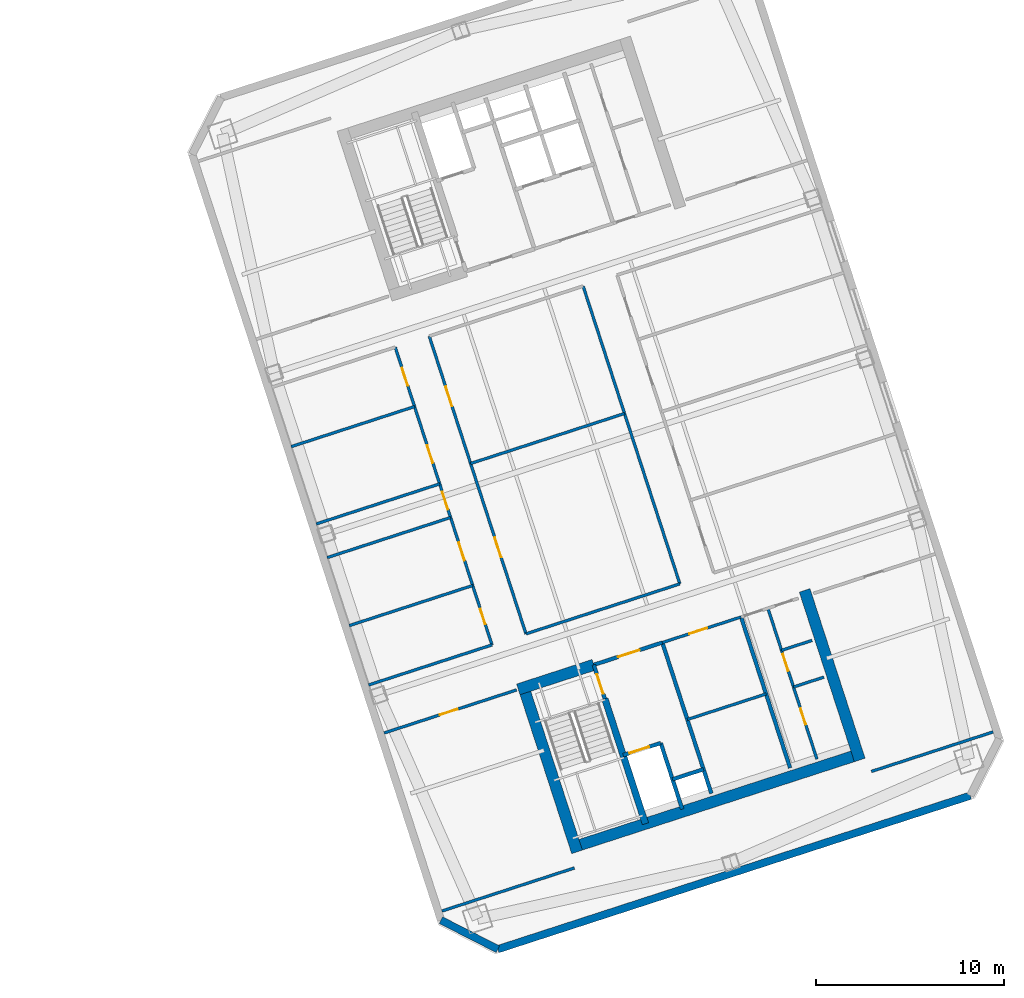
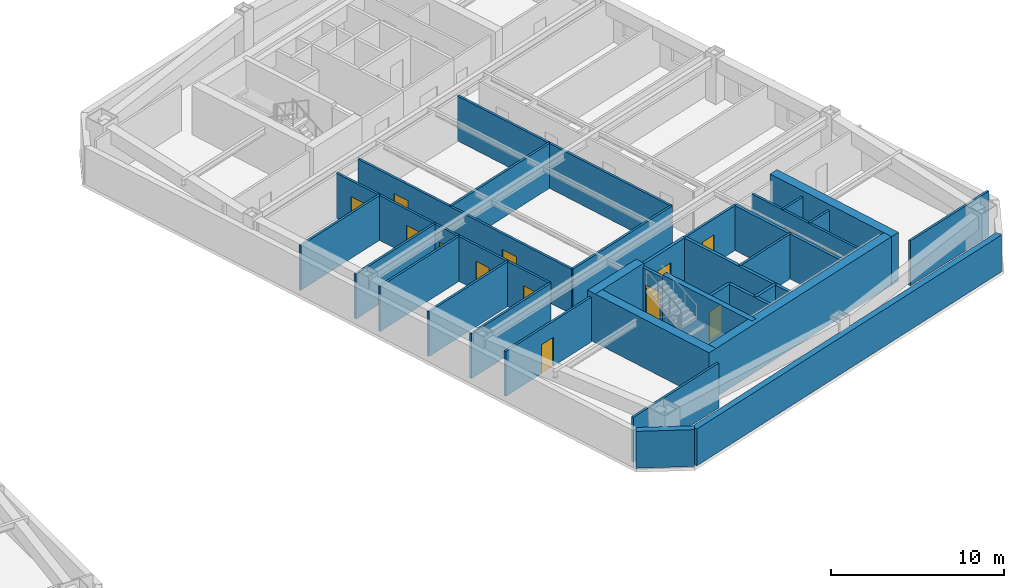
# One storey, part 8 of 13: 32 walls, 14 doors, 14 openings.
"""IFC4 building model written with IfcOpenShell, lengths in metres."""

from ifc_helpers import new_model, si_unit, direction, frame, frame_2d, origin, place, context, subcontext, project, spatial, rectangle, extrude, material, layer, layer_set, type_object, element, fill, save


model = new_model("IFC4")

# Units and contexts
model_context = context("Model", 3, precision=1e-05, world=origin(), true_north=direction((0.0, 1.0)))
body_context = subcontext(model_context, "Body", "Model", "MODEL_VIEW")
ifc_project = project(units=[si_unit("LENGTHUNIT", "METRE"), si_unit("AREAUNIT", "SQUARE_METRE"), si_unit("VOLUMEUNIT", "CUBIC_METRE"), si_unit("PLANEANGLEUNIT", "RADIAN"), si_unit("MASSUNIT", "GRAM", prefix="KILO")], contexts=[model_context])

# Site, building, storey
site_placement = place(None, origin())
site = spatial("IfcSite", under=ifc_project, at=site_placement, CompositionType="ELEMENT")
building_placement = place(site_placement, origin())
building = spatial("IfcBuilding", under=site, at=building_placement, Name="Qiaolan Cultural Towers", CompositionType="ELEMENT")
storey_placement = place(building_placement, frame((0.0, 0.0, 170.199951171875)))
storey = spatial("IfcBuildingStorey", under=building, at=storey_placement, Name="L45", CompositionType="ELEMENT", Elevation=170.199951171875)

# Walls
ifc_material_1 = material(Name="Concrete C50", Category="concrete")
ifc_layer_1 = layer(ifc_material_1, 0.35009765625)
ifc_layer_set_1 = layer_set([ifc_layer_1], Name="Concrete C50")
wall_type_1 = type_object("IfcWallType", Name="WL-CORE-350", PredefinedType="SHEAR", material=ifc_layer_set_1)
wall_1_placement = place(storey_placement, frame((90.486328125, 20.59423828125, 0.0), z_axis=(0.0, 0.0, 1.0), x_axis=(0.309020428229, -0.951055400562, 0.0)))
element("IfcWall", 1, at=wall_1_placement, inside=storey, type_object=wall_type_1, Name="L45 T2-CS Stair Core Dividing Web", PredefinedType="SHEAR", context=body_context, shape_type="SweptSolid", body=[
    extrude(rectangle(XDim=6.97998046875, YDim=0.35009765625, at=frame_2d((3.489990234375, 0.0))), origin(), (0.0, 0.0, 1.0), 3.449951171875),
])
ifc_material_2 = material(Name="Concrete C55", Category="concrete")
ifc_layer_2 = layer(ifc_material_2, 0.60009765625)
ifc_layer_set_2 = layer_set([ifc_layer_2], Name="Concrete C55")
wall_type_2 = type_object("IfcWallType", Name="WL-CORE-600", PredefinedType="SHEAR", material=ifc_layer_set_2)
wall_2_placement = place(storey_placement, frame((88.6298828125, 12.65185546875, 0.0), z_axis=(0.0, 0.0, 1.0), x_axis=(0.95105714907, 0.309015046886, 0.0)))
element("IfcWall", 2, at=wall_2_placement, inside=storey, type_object=wall_type_2, Name="L45 T2-CS Outer Core Shear Wall", PredefinedType="SHEAR", context=body_context, shape_type="SweptSolid", body=[
    extrude(rectangle(XDim=16.400146484375, YDim=0.60009765625, at=frame_2d((8.2001953125, 0.0))), origin(), (0.0, 0.0, 1.0), 3.449951171875),
])
wall_3_placement = place(storey_placement, frame((86.078369140625, 21.47509765625, 0.0), z_axis=(0.0, 0.0, 1.0), x_axis=(0.309017938678, -0.951056209472, 0.0)))
element("IfcWall", 3, at=wall_3_placement, inside=storey, type_object=wall_type_2, Name="L45 T2-CS West Core Shear Wall", PredefinedType="SHEAR", context=body_context, shape_type="SweptSolid", body=[
    extrude(rectangle(XDim=9.479736328125, YDim=0.60009765625, at=frame_2d((4.73974609375, 0.0))), origin(), (0.0, 0.0, 1.0), 3.449951171875),
])
wall_4_placement = place(storey_placement, frame((101.105224609375, 26.357666015625, 0.0), z_axis=(0.0, 0.0, 1.0), x_axis=(0.309010370028, -0.95105866865, 0.0)))
element("IfcWall", 4, at=wall_4_placement, inside=storey, type_object=wall_type_2, Name="L45 T2-CS East Core Shear Wall", PredefinedType="SHEAR", context=body_context, shape_type="SweptSolid", body=[
    extrude(rectangle(XDim=9.47998046875, YDim=0.60009765625, at=frame_2d((4.739990234375, 0.0))), origin(), (0.0, 0.0, 1.0), 3.449951171875),
])
wall_5_placement = place(storey_placement, frame((85.8857421875, 21.09716796875, 0.0), z_axis=(0.0, 0.0, 1.0), x_axis=(0.951068073652, 0.308981422225, 0.0)))
element("IfcWall", 5, at=wall_5_placement, inside=storey, type_object=wall_type_2, Name="L45 T2-CS Stair Front Shear Wall", PredefinedType="SHEAR", context=body_context, shape_type="SweptSolid", body=[
    extrude(rectangle(XDim=4.22021484375, YDim=0.60009765625, at=frame_2d((2.110107421875, 0.0))), origin(), (0.0, 0.0, 1.0), 3.449951171875),
])
ifc_material_3 = material(Name="Precast Concrete C50 Honed Stone Pier", Category="masonry")
ifc_layer_3 = layer(ifc_material_3, 0.39990234375)
ifc_layer_set_3 = layer_set([ifc_layer_3], Name="Precast Concrete C50 Honed Stone Pier")
wall_type_3 = type_object("IfcWallType", Name="WL-EXT-PIER-400", PredefinedType="SOLIDWALL", material=ifc_layer_set_3)
wall_6_placement = place(storey_placement, frame((109.908447265625, 15.44384765625, 0.0), z_axis=(0.0, 0.0, 1.0), x_axis=(-0.951057580055, -0.30901372044, 0.0)))
element("IfcWall", 6, at=wall_6_placement, inside=storey, type_object=wall_type_3, Name="L45 East Tower Precast Pier Facade Wall F7", PredefinedType="SOLIDWALL", context=body_context, shape_type="SweptSolid", body=[
    extrude(rectangle(XDim=26.39990234375, YDim=0.39990234375, at=frame_2d((13.199951171875, 0.0))), origin(), (0.0, 0.0, 1.0), 2.610107421875),
])
wall_7_placement = place(storey_placement, frame((84.800537109375, 7.285888671875, 0.0), z_axis=(0.0, 0.0, 1.0), x_axis=(-0.891020832027, 0.453962417932, 0.0)))
element("IfcWall", 7, at=wall_7_placement, inside=storey, type_object=wall_type_3, Name="L45 East Tower Precast Pier Facade Wall F8", PredefinedType="SOLIDWALL", context=body_context, shape_type="SweptSolid", body=[
    extrude(rectangle(XDim=3.39404296875, YDim=0.39990234375, at=frame_2d((1.697021484375, 0.0))), origin(), (0.0, 0.0, 1.0), 2.610107421875),
])

# Wall, opening, door
ifc_material_4 = material(Name="Concrete C35 Fire Wall", Category="concrete")
ifc_layer_4 = layer(ifc_material_4, 0.199951171875)
ifc_layer_set_4 = layer_set([ifc_layer_4], Name="Concrete C35 Fire Wall")
wall_type_4 = type_object("IfcWallType", Name="WL-FIRE-200", PredefinedType="PARTITIONING", material=ifc_layer_set_4)
wall_8_placement = place(storey_placement, frame((89.8994140625, 22.401123046875, 0.0), z_axis=(0.0, 0.0, 1.0), x_axis=(0.308932062672, -0.951084108086, 0.0)))
wall_8 = element("IfcWall", 8, at=wall_8_placement, inside=storey, type_object=wall_type_4, Name="L45 T2-CS Smokeproof Stair Entry Wall", PredefinedType="PARTITIONING", context=body_context, shape_type="SweptSolid", body=[
    extrude(rectangle(XDim=1.89990234375, YDim=0.199951171875, at=frame_2d((0.949951171875, 0.0))), origin(), (0.0, 0.0, 1.0), 3.175048828125),
])
opening_1_placement = place(wall_8_placement, frame((0.52001953125, 0.0, 0.0)))
opening_1 = element("IfcOpeningElement", 9, at=opening_1_placement, cuts=wall_8, Name="Opening FD-04", PredefinedType="OPENING", context=body_context, shape_type="SweptSolid", body=[
    extrude(rectangle(XDim=1.10009765625, YDim=2.050048828125, at=frame_2d((0.550048828125, 1.02490234375))), frame((0.0, 0.10986328125, 0.0), z_axis=(0.0, -1.0, 0.0), x_axis=(1.0, 0.0, 0.0)), (0.0, 0.0, 1.0), 0.219970703125),
])
ifc_material_5 = material(Name="Galvanized Steel Command Fire Door", Category="steel")
door_type_1 = type_object("IfcDoorType", Name="DR-FD90-1100", OperationType="NOTDEFINED", PredefinedType="DOOR", material=ifc_material_5)
door_1_placement = place(opening_1_placement, origin())
door_1 = element("IfcDoor", 10, at=door_1_placement, inside=storey, type_object=door_type_1, Name="L45 ST-E1 Smokeproof Stair Fire Door", OperationType="SINGLE_SWING_LEFT", OverallHeight=2.050048828125, OverallWidth=1.10009765625, PredefinedType="DOOR", context=body_context, shape_type="SweptSolid", body=[
    extrude(rectangle(XDim=1.10009765625, YDim=2.050048828125, at=frame_2d((0.550048828125, 1.02490234375))), frame((0.0, 0.02490234375, 0.0), z_axis=(0.0, -1.0, 0.0), x_axis=(1.0, 0.0, 0.0)), (0.0, 0.0, 1.0), 0.050048828125),
])
fill(opening_1, door_1)

# Wall
wall_9_placement = place(storey_placement, frame((93.541748046875, 23.584716796875, 0.0), z_axis=(0.0, 0.0, 1.0), x_axis=(0.309042196757, -0.951048327176, 0.0)))
element("IfcWall", 11, at=wall_9_placement, inside=storey, type_object=wall_type_4, Name="L45 T2-CS Firefighting Zone Wall", PredefinedType="PARTITIONING", context=body_context, shape_type="SweptSolid", body=[
    extrude(rectangle(XDim=8.429931640625, YDim=0.199951171875, at=frame_2d((4.21484375, 0.0))), origin(), (0.0, 0.0, 1.0), 3.175048828125),
])

# Wall, opening, door
wall_10_placement = place(storey_placement, frame((89.8994140625, 22.401123046875, 0.0), z_axis=(0.0, 0.0, 1.0), x_axis=(0.951046716504, 0.309047153403, 0.0)))
wall_10 = element("IfcWall", 12, at=wall_10_placement, inside=storey, type_object=wall_type_4, Name="L45 T2-CS Firefighting Lobby Front Wall", PredefinedType="PARTITIONING", context=body_context, shape_type="SweptSolid", body=[
    extrude(rectangle(XDim=3.829833984375, YDim=0.199951171875, at=frame_2d((1.9150390625, 0.0))), origin(), (0.0, 0.0, 1.0), 3.175048828125),
])
opening_2_placement = place(wall_10_placement, frame((1.35009765625, 0.0, 0.0)))
opening_2 = element("IfcOpeningElement", 13, at=opening_2_placement, cuts=wall_10, Name="Opening FD-03", PredefinedType="OPENING", context=body_context, shape_type="SweptSolid", body=[
    extrude(rectangle(XDim=1.199951171875, YDim=2.050048828125, at=frame_2d((0.60009765625, 1.02490234375))), frame((0.0, 0.10986328125, 0.0), z_axis=(0.0, -1.0, 0.0), x_axis=(1.0, 0.0, 0.0)), (0.0, 0.0, 1.0), 0.219970703125),
])
ifc_material_6 = material(Name="Galvanized Steel Smokeproof Lobby Fire Door", Category="steel")
door_type_2 = type_object("IfcDoorType", Name="DR-FD90-1200", OperationType="NOTDEFINED", PredefinedType="DOOR", material=ifc_material_6)
door_2_placement = place(opening_2_placement, origin())
door_2 = element("IfcDoor", 14, at=door_2_placement, inside=storey, type_object=door_type_2, Name="L45 FFL-E1 Firefighting Lobby Fire Door", OperationType="SINGLE_SWING_LEFT", OverallHeight=2.050048828125, OverallWidth=1.199951171875, PredefinedType="DOOR", context=body_context, shape_type="SweptSolid", body=[
    extrude(rectangle(XDim=1.199951171875, YDim=2.050048828125, at=frame_2d((0.60009765625, 1.02490234375))), frame((0.0, 0.02490234375, 0.0), z_axis=(0.0, -1.0, 0.0), x_axis=(1.0, 0.0, 0.0)), (0.0, 0.0, 1.0), 0.050048828125),
])
fill(opening_2, door_2)

wall_11_placement = place(storey_placement, frame((91.459716796875, 17.598388671875, 0.0), z_axis=(0.0, 0.0, 1.0), x_axis=(0.951062257173, 0.308999325213, 0.0)))
wall_11 = element("IfcWall", 15, at=wall_11_placement, inside=storey, type_object=wall_type_4, Name="L45 T2-CS Firefighting Shaft Front Wall", PredefinedType="PARTITIONING", context=body_context, shape_type="SweptSolid", body=[
    extrude(rectangle(XDim=2.10009765625, YDim=0.199951171875, at=frame_2d((1.050048828125, 0.0))), origin(), (0.0, 0.0, 1.0), 3.175048828125),
])
opening_3_placement = place(wall_11_placement, frame((0.35009765625, 0.0, 0.0)))
opening_3 = element("IfcOpeningElement", 16, at=opening_3_placement, cuts=wall_11, Name="Opening LD-01", PredefinedType="OPENING", context=body_context, shape_type="SweptSolid", body=[
    extrude(rectangle(XDim=1.10009765625, YDim=2.050048828125, at=frame_2d((0.550048828125, 1.02490234375))), frame((0.0, 0.10986328125, 0.0), z_axis=(0.0, -1.0, 0.0), x_axis=(1.0, 0.0, 0.0)), (0.0, 0.0, 1.0), 0.219970703125),
])
ifc_material_7 = material(Name="Brushed Stainless Steel S30408 Centre-Parting Lift Landing Door", Category="steel")
door_type_3 = type_object("IfcDoorType", Name="DR-LIFT-1100", OperationType="NOTDEFINED", PredefinedType="DOOR", material=ifc_material_7)
door_3_placement = place(opening_3_placement, origin())
door_3 = element("IfcDoor", 17, at=door_3_placement, inside=storey, type_object=door_type_3, Name="L45 FFL-E1 Firefighting Lift Landing Door", OperationType="DOUBLE_DOOR_SLIDING", OverallHeight=2.050048828125, OverallWidth=1.10009765625, PredefinedType="DOOR", context=body_context, shape_type="SweptSolid", body=[
    extrude(rectangle(XDim=1.10009765625, YDim=2.050048828125, at=frame_2d((0.550048828125, 1.02490234375))), frame((0.0, 0.02490234375, 0.0), z_axis=(0.0, -1.0, 0.0), x_axis=(1.0, 0.0, 0.0)), (0.0, 0.0, 1.0), 0.050048828125),
])
fill(opening_3, door_3)

# Walls
wall_12_placement = place(storey_placement, frame((93.45703125, 18.247314453125, 0.0), z_axis=(0.0, 0.0, 1.0), x_axis=(0.3089935693, -0.951064127245, 0.0)))
element("IfcWall", 18, at=wall_12_placement, inside=storey, type_object=wall_type_4, Name="L45 T2-CS Firefighting Hoistway East Wall", PredefinedType="PARTITIONING", context=body_context, shape_type="SweptSolid", body=[
    extrude(rectangle(XDim=3.7001953125, YDim=0.199951171875, at=frame_2d((1.85009765625, 0.0))), origin(), (0.0, 0.0, 1.0), 3.175048828125),
])
wall_13_placement = place(storey_placement, frame((94.08447265625, 16.316650390625, 0.0), z_axis=(0.0, 0.0, 1.0), x_axis=(0.951041328149, 0.309063734775, 0.0)))
element("IfcWall", 19, at=wall_13_placement, inside=storey, type_object=wall_type_4, Name="L45 T2-CS Pressurization Shaft Front Wall", PredefinedType="PARTITIONING", context=body_context, shape_type="SweptSolid", body=[
    extrude(rectangle(XDim=1.72998046875, YDim=0.199951171875, at=frame_2d((0.864990234375, 0.0))), origin(), (0.0, 0.0, 1.0), 3.175048828125),
])
wall_14_placement = place(storey_placement, frame((97.7265625, 24.9443359375, 0.0), z_axis=(0.0, 0.0, 1.0), x_axis=(0.309016001439, -0.951056838919, 0.0)))
element("IfcWall", 20, at=wall_14_placement, inside=storey, type_object=wall_type_4, Name="L45 T2-CS Lift Core East Wall", PredefinedType="PARTITIONING", context=body_context, shape_type="SweptSolid", body=[
    extrude(rectangle(XDim=8.429931640625, YDim=0.199951171875, at=frame_2d((4.21484375, 0.0))), origin(), (0.0, 0.0, 1.0), 3.175048828125),
])

# Wall, opening, door
ifc_material_8 = material(Name="Autoclaved Aerated Concrete Block B06", Category="concrete")
ifc_layer_5 = layer(ifc_material_8, 0.14990234375)
ifc_layer_set_5 = layer_set([ifc_layer_5], Name="Autoclaved Aerated Concrete Block B06")
wall_type_5 = type_object("IfcWallType", Name="WL-PART-150", PredefinedType="PARTITIONING", material=ifc_layer_set_5)
wall_15_placement = place(storey_placement, frame((93.541748046875, 23.584716796875, 0.0), z_axis=(0.0, 0.0, 1.0), x_axis=(0.951063829732, 0.308994485023, 0.0)))
wall_15 = element("IfcWall", 21, at=wall_15_placement, inside=storey, type_object=wall_type_5, Name="L45 T2-CS Reclaimed Core Room Front Wall", PredefinedType="PARTITIONING", context=body_context, shape_type="SweptSolid", body=[
    extrude(rectangle(XDim=4.400146484375, YDim=0.14990234375, at=frame_2d((2.2001953125, 0.0))), origin(), (0.0, 0.0, 1.0), 3.175048828125),
])
opening_4_placement = place(wall_15_placement, frame((1.5, 0.0, 0.0)))
opening_4 = element("IfcOpeningElement", 22, at=opening_4_placement, cuts=wall_15, Name="Opening ID-04", PredefinedType="OPENING", context=body_context, shape_type="SweptSolid", body=[
    extrude(rectangle(XDim=1.0, YDim=2.050048828125, at=frame_2d((0.5, 1.02490234375))), frame((0.0, 0.0849609375, 0.0), z_axis=(0.0, -1.0, 0.0), x_axis=(1.0, 0.0, 0.0)), (0.0, 0.0, 1.0), 0.169921875),
])
ifc_material_9 = material(Name="Oak Veneer Acoustic Office Door", Category="timber")
door_type_4 = type_object("IfcDoorType", Name="DR-INT-1000", OperationType="NOTDEFINED", PredefinedType="DOOR", material=ifc_material_9)
door_4_placement = place(opening_4_placement, origin())
door_4 = element("IfcDoor", 23, at=door_4_placement, inside=storey, type_object=door_type_4, Name="L45 Focus Pod Room Door", OperationType="SINGLE_SWING_LEFT", OverallHeight=2.050048828125, OverallWidth=1.0, PredefinedType="DOOR", context=body_context, shape_type="SweptSolid", body=[
    extrude(rectangle(XDim=1.0, YDim=2.050048828125, at=frame_2d((0.5, 1.02490234375))), frame((0.0, 0.02490234375, 0.0), z_axis=(0.0, -1.0, 0.0), x_axis=(1.0, 0.0, 0.0)), (0.0, 0.0, 1.0), 0.050048828125),
])
fill(opening_4, door_4)

# Wall
wall_16_placement = place(storey_placement, frame((94.87060546875, 19.4951171875, 0.0), z_axis=(0.0, 0.0, 1.0), x_axis=(0.951042223598, 0.309060979314, 0.0)))
element("IfcWall", 24, at=wall_16_placement, inside=storey, type_object=wall_type_5, Name="L45 T2-CS Reclaimed Room Subdivider", PredefinedType="PARTITIONING", context=body_context, shape_type="SweptSolid", body=[
    extrude(rectangle(XDim=4.39990234375, YDim=0.14990234375, at=frame_2d((2.199951171875, 0.0))), origin(), (0.0, 0.0, 1.0), 3.175048828125),
])

# Wall, openings, doors
wall_17_placement = place(storey_placement, frame((99.153076171875, 25.407958984375, 0.0), z_axis=(0.0, 0.0, 1.0), x_axis=(0.309016001439, -0.951056838919, 0.0)))
wall_17 = element("IfcWall", 25, at=wall_17_placement, inside=storey, type_object=wall_type_5, Name="L45 T2-CS Sanitary Corridor Wall", PredefinedType="PARTITIONING", context=body_context, shape_type="SweptSolid", body=[
    extrude(rectangle(XDim=8.429931640625, YDim=0.14990234375, at=frame_2d((4.21484375, 0.0))), origin(), (0.0, 0.0, 1.0), 3.175048828125),
])
opening_5_placement = place(wall_17_placement, frame((2.550048828125, 0.0, 0.0)))
opening_5 = element("IfcOpeningElement", 26, at=opening_5_placement, cuts=wall_17, Name="Opening ID-05", PredefinedType="OPENING", context=body_context, shape_type="SweptSolid", body=[
    extrude(rectangle(XDim=0.949951171875, YDim=2.050048828125, at=frame_2d((0.47509765625, 1.02490234375))), frame((0.0, 0.0849609375, 0.0), z_axis=(0.0, -1.0, 0.0), x_axis=(1.0, 0.0, 0.0)), (0.0, 0.0, 1.0), 0.169921875),
])
opening_6_placement = place(wall_17_placement, frame((5.60009765625, 0.0, 0.0)))
opening_6 = element("IfcOpeningElement", 27, at=opening_6_placement, cuts=wall_17, Name="Opening ID-06", PredefinedType="OPENING", context=body_context, shape_type="SweptSolid", body=[
    extrude(rectangle(XDim=0.89990234375, YDim=2.050048828125, at=frame_2d((0.449951171875, 1.02490234375))), frame((0.0, 0.0849609375, 0.0), z_axis=(0.0, -1.0, 0.0), x_axis=(1.0, 0.0, 0.0)), (0.0, 0.0, 1.0), 0.169921875),
])
ifc_material_10 = material(Name="Fire-Rated Laminate Core Service Door", Category="timber")
door_type_5 = type_object("IfcDoorType", Name="DR-INT-900", OperationType="NOTDEFINED", PredefinedType="DOOR", material=ifc_material_10)
door_5_placement = place(opening_6_placement, origin())
door_5 = element("IfcDoor", 28, at=door_5_placement, inside=storey, type_object=door_type_5, Name="L45 Staff Restroom Door", OperationType="SINGLE_SWING_RIGHT", OverallHeight=2.050048828125, OverallWidth=0.89990234375, PredefinedType="DOOR", context=body_context, shape_type="SweptSolid", body=[
    extrude(rectangle(XDim=0.89990234375, YDim=2.050048828125, at=frame_2d((0.449951171875, 1.02490234375))), frame((0.0, 0.02490234375, 0.0), z_axis=(0.0, -1.0, 0.0), x_axis=(1.0, 0.0, 0.0)), (0.0, 0.0, 1.0), 0.050048828125),
])
fill(opening_6, door_5)
ifc_material_11 = material(Name="Fire-Rated Laminate Accessible Core Door", Category="timber")
door_type_6 = type_object("IfcDoorType", Name="DR-INT-950", OperationType="NOTDEFINED", PredefinedType="DOOR", material=ifc_material_11)
door_6_placement = place(opening_5_placement, origin())
door_6 = element("IfcDoor", 29, at=door_6_placement, inside=storey, type_object=door_type_6, Name="L45 Accessible Washroom Door", OperationType="SINGLE_SWING_LEFT", OverallHeight=2.050048828125, OverallWidth=0.949951171875, PredefinedType="DOOR", context=body_context, shape_type="SweptSolid", body=[
    extrude(rectangle(XDim=0.949951171875, YDim=2.050048828125, at=frame_2d((0.47509765625, 1.02490234375))), frame((0.0, 0.02490234375, 0.0), z_axis=(0.0, -1.0, 0.0), x_axis=(1.0, 0.0, 0.0)), (0.0, 0.0, 1.0), 0.050048828125),
])
fill(opening_5, door_6)

# Walls
for number, where, z_axis, x_axis, name in (
    (30, (100.5126953125, 21.223388671875, 0.0), (0.0, 0.0, 1.0), (0.951096313471, 0.308894484414, 0.0), "L45 T2-CS Restroom Split Wall"),
    (31, (99.879150390625, 23.1728515625, 0.0), (0.0, 0.0, 1.0), (0.951054116971, 0.309024378638, 0.0), "L45 T2-CS Core Pantry Wall"),
):
    element("IfcWall", number, at=place(storey_placement, frame(where, z_axis=z_axis, x_axis=x_axis)), inside=storey, type_object=wall_type_5, Name=name, PredefinedType="PARTITIONING", context=body_context, shape_type="SweptSolid", body=[
        extrude(rectangle(XDim=1.7001953125, YDim=0.14990234375, at=frame_2d((0.85009765625, 0.0))), origin(), (0.0, 0.0, 1.0), 3.175048828125),
    ])
wall_18_placement = place(storey_placement, frame((81.82763671875, 9.31640625, 0.0), z_axis=(0.0, 0.0, 1.0), x_axis=(0.95105128112, 0.309033106124, 0.0)))
element("IfcWall", 32, at=wall_18_placement, inside=storey, type_object=wall_type_5, Name="L45 T2 Flank Wall FLK-SW", PredefinedType="PARTITIONING", context=body_context, shape_type="SweptSolid", body=[
    extrude(rectangle(XDim=7.400146484375, YDim=0.14990234375, at=frame_2d((3.7001953125, 0.0))), origin(), (0.0, 0.0, 1.0), 3.175048828125),
])

# Wall, opening, door
wall_19_placement = place(storey_placement, frame((78.7529296875, 18.779541015625, 0.0), z_axis=(0.0, 0.0, 1.0), x_axis=(0.951060977215, 0.309003264738, 0.0)))
wall_19 = element("IfcWall", 33, at=wall_19_placement, inside=storey, type_object=wall_type_5, Name="L45 T2 Flank Front FLK-SW", PredefinedType="PARTITIONING", context=body_context, shape_type="SweptSolid", body=[
    extrude(rectangle(XDim=7.39990234375, YDim=0.14990234375, at=frame_2d((3.699951171875, 0.0))), origin(), (0.0, 0.0, 1.0), 3.175048828125),
])
opening_7_placement = place(wall_19_placement, frame((3.10791015625, 0.0, 0.0)))
opening_7 = element("IfcOpeningElement", 34, at=opening_7_placement, cuts=wall_19, Name="Opening ID-04", PredefinedType="OPENING", context=body_context, shape_type="SweptSolid", body=[
    extrude(rectangle(XDim=1.0, YDim=2.050048828125, at=frame_2d((0.5, 1.02490234375))), frame((0.0, 0.0849609375, 0.0), z_axis=(0.0, -1.0, 0.0), x_axis=(1.0, 0.0, 0.0)), (0.0, 0.0, 1.0), 0.169921875),
])
door_7_placement = place(opening_7_placement, origin())
door_7 = element("IfcDoor", 35, at=door_7_placement, inside=storey, type_object=door_type_4, Name="L45 T2 Corner Studio Door", OperationType="SINGLE_SWING_LEFT", OverallHeight=2.050048828125, OverallWidth=1.0, PredefinedType="DOOR", context=body_context, shape_type="SweptSolid", body=[
    extrude(rectangle(XDim=1.0, YDim=2.050048828125, at=frame_2d((0.5, 1.02490234375))), frame((0.0, 0.02490234375, 0.0), z_axis=(0.0, -1.0, 0.0), x_axis=(1.0, 0.0, 0.0)), (0.0, 0.0, 1.0), 0.050048828125),
])
fill(opening_7, door_7)

# Walls
wall_20_placement = place(storey_placement, frame((104.653076171875, 16.73291015625, 0.0), z_axis=(0.0, 0.0, 1.0), x_axis=(0.951054383043, 0.309023559774, 0.0)))
element("IfcWall", 36, at=wall_20_placement, inside=storey, type_object=wall_type_5, Name="L45 T2 Flank Wall FLK-SE", PredefinedType="PARTITIONING", context=body_context, shape_type="SweptSolid", body=[
    extrude(rectangle(XDim=6.7998046875, YDim=0.14990234375, at=frame_2d((3.39990234375, 0.0))), origin(), (0.0, 0.0, 1.0), 3.175048828125),
])
wall_21_placement = place(storey_placement, frame((77.9248046875, 21.328369140625, 0.0), z_axis=(0.0, 0.0, 1.0), x_axis=(0.951061887302, 0.309000463626, 0.0)))
element("IfcWall", 37, at=wall_21_placement, inside=storey, type_object=wall_type_5, Name="L45 T2 Interior Wall", PredefinedType="PARTITIONING", context=body_context, shape_type="SweptSolid", body=[
    extrude(rectangle(XDim=6.89990234375, YDim=0.14990234375, at=frame_2d((3.449951171875, 0.0))), origin(), (0.0, 0.0, 1.0), 3.175048828125),
])
wall_22_placement = place(storey_placement, frame((86.2939453125, 24.047607421875, 0.0), z_axis=(0.0, 0.0, 1.0), x_axis=(0.951052008164, 0.309030868631, 0.0)))
element("IfcWall", 38, at=wall_22_placement, inside=storey, type_object=wall_type_5, Name="L45 T2 Interior Wall", PredefinedType="PARTITIONING", context=body_context, shape_type="SweptSolid", body=[
    extrude(rectangle(XDim=8.60009765625, YDim=0.14990234375, at=frame_2d((4.300048828125, 0.0))), origin(), (0.0, 0.0, 1.0), 3.175048828125),
])

# Wall, openings, doors
wall_23_placement = place(storey_placement, frame((84.487060546875, 23.46044921875, 0.0), z_axis=(0.0, 0.0, 1.0), x_axis=(-0.30901773025, 0.951056277195, 0.0)))
wall_23 = element("IfcWall", 39, at=wall_23_placement, inside=storey, type_object=wall_type_5, Name="L45 T2 Interior Wall", PredefinedType="PARTITIONING", context=body_context, shape_type="SweptSolid", body=[
    extrude(rectangle(XDim=16.64013671875, YDim=0.14990234375, at=frame_2d((8.320068359375, 0.0))), origin(), (0.0, 0.0, 1.0), 3.175048828125),
])
opening_8_placement = place(wall_23_placement, frame((1.159912109375, 0.0, 0.0)))
opening_8 = element("IfcOpeningElement", 40, at=opening_8_placement, cuts=wall_23, Name="Opening ID-09", PredefinedType="OPENING", context=body_context, shape_type="SweptSolid", body=[
    extrude(rectangle(XDim=0.85009765625, YDim=2.050048828125, at=frame_2d((0.425048828125, 1.02490234375))), frame((0.0, 0.0849609375, 0.0), z_axis=(0.0, -1.0, 0.0), x_axis=(1.0, 0.0, 0.0)), (0.0, 0.0, 1.0), 0.169921875),
])
opening_9_placement = place(wall_23_placement, frame((4.719970703125, 0.0, 0.0)))
opening_9 = element("IfcOpeningElement", 41, at=opening_9_placement, cuts=wall_23, Name="Opening ID-04", PredefinedType="OPENING", context=body_context, shape_type="SweptSolid", body=[
    extrude(rectangle(XDim=1.0, YDim=2.050048828125, at=frame_2d((0.5, 1.02490234375))), frame((0.0, 0.0849609375, 0.0), z_axis=(0.0, -1.0, 0.0), x_axis=(1.0, 0.0, 0.0)), (0.0, 0.0, 1.0), 0.169921875),
])
opening_10_placement = place(wall_23_placement, frame((7.56005859375, 0.0, 0.0)))
opening_10 = element("IfcOpeningElement", 42, at=opening_10_placement, cuts=wall_23, Name="Opening ID-04", PredefinedType="OPENING", context=body_context, shape_type="SweptSolid", body=[
    extrude(rectangle(XDim=1.0, YDim=2.050048828125, at=frame_2d((0.5, 1.02490234375))), frame((0.0, 0.0849609375, 0.0), z_axis=(0.0, -1.0, 0.0), x_axis=(1.0, 0.0, 0.0)), (0.0, 0.0, 1.0), 0.169921875),
])
opening_11_placement = place(wall_23_placement, frame((10.159912109375, 0.0, 0.0)))
opening_11 = element("IfcOpeningElement", 43, at=opening_11_placement, cuts=wall_23, Name="Opening ID-04", PredefinedType="OPENING", context=body_context, shape_type="SweptSolid", body=[
    extrude(rectangle(XDim=1.0, YDim=2.050048828125, at=frame_2d((0.5, 1.02490234375))), frame((0.0, 0.0849609375, 0.0), z_axis=(0.0, -1.0, 0.0), x_axis=(1.0, 0.0, 0.0)), (0.0, 0.0, 1.0), 0.169921875),
])
opening_12_placement = place(wall_23_placement, frame((14.47998046875, 0.0, 0.0)))
opening_12 = element("IfcOpeningElement", 44, at=opening_12_placement, cuts=wall_23, Name="Opening ID-04", PredefinedType="OPENING", context=body_context, shape_type="SweptSolid", body=[
    extrude(rectangle(XDim=1.0, YDim=2.050048828125, at=frame_2d((0.5, 1.02490234375))), frame((0.0, 0.0849609375, 0.0), z_axis=(0.0, -1.0, 0.0), x_axis=(1.0, 0.0, 0.0)), (0.0, 0.0, 1.0), 0.169921875),
])
door_8_placement = place(opening_9_placement, origin())
door_8 = element("IfcDoor", 45, at=door_8_placement, inside=storey, type_object=door_type_4, Name="L45 T2 Executive Boardroom Door", OperationType="SINGLE_SWING_RIGHT", OverallHeight=2.050048828125, OverallWidth=1.0, PredefinedType="DOOR", context=body_context, shape_type="SweptSolid", body=[
    extrude(rectangle(XDim=1.0, YDim=2.050048828125, at=frame_2d((0.5, 1.02490234375))), frame((0.0, 0.02490234375, 0.0), z_axis=(0.0, -1.0, 0.0), x_axis=(1.0, 0.0, 0.0)), (0.0, 0.0, 1.0), 0.050048828125),
])
fill(opening_9, door_8)
door_9_placement = place(opening_10_placement, origin())
door_9 = element("IfcDoor", 46, at=door_9_placement, inside=storey, type_object=door_type_4, Name="L45 T2 Executive Boardroom Door", OperationType="SINGLE_SWING_LEFT", OverallHeight=2.050048828125, OverallWidth=1.0, PredefinedType="DOOR", context=body_context, shape_type="SweptSolid", body=[
    extrude(rectangle(XDim=1.0, YDim=2.050048828125, at=frame_2d((0.5, 1.02490234375))), frame((0.0, 0.02490234375, 0.0), z_axis=(0.0, -1.0, 0.0), x_axis=(1.0, 0.0, 0.0)), (0.0, 0.0, 1.0), 0.050048828125),
])
fill(opening_10, door_9)
door_10_placement = place(opening_11_placement, origin())
door_10 = element("IfcDoor", 47, at=door_10_placement, inside=storey, type_object=door_type_4, Name="L45 T2 Executive Boardroom Door", OperationType="SINGLE_SWING_RIGHT", OverallHeight=2.050048828125, OverallWidth=1.0, PredefinedType="DOOR", context=body_context, shape_type="SweptSolid", body=[
    extrude(rectangle(XDim=1.0, YDim=2.050048828125, at=frame_2d((0.5, 1.02490234375))), frame((0.0, 0.02490234375, 0.0), z_axis=(0.0, -1.0, 0.0), x_axis=(1.0, 0.0, 0.0)), (0.0, 0.0, 1.0), 0.050048828125),
])
fill(opening_11, door_10)
door_11_placement = place(opening_12_placement, origin())
door_11 = element("IfcDoor", 48, at=door_11_placement, inside=storey, type_object=door_type_4, Name="L45 T2 VIP Lounge Door", OperationType="SINGLE_SWING_RIGHT", OverallHeight=2.050048828125, OverallWidth=1.0, PredefinedType="DOOR", context=body_context, shape_type="SweptSolid", body=[
    extrude(rectangle(XDim=1.0, YDim=2.050048828125, at=frame_2d((0.5, 1.02490234375))), frame((0.0, 0.02490234375, 0.0), z_axis=(0.0, -1.0, 0.0), x_axis=(1.0, 0.0, 0.0)), (0.0, 0.0, 1.0), 0.050048828125),
])
fill(opening_12, door_11)
ifc_material_12 = material(Name="Moisture-Resistant Laminate Utility Door", Category="timber")
door_type_7 = type_object("IfcDoorType", Name="DR-INT-850", OperationType="NOTDEFINED", PredefinedType="DOOR", material=ifc_material_12)
door_12_placement = place(opening_8_placement, origin())
door_12 = element("IfcDoor", 49, at=door_12_placement, inside=storey, type_object=door_type_7, Name="L45 T2 Executive Boardroom Door", OperationType="SINGLE_SWING_LEFT", OverallHeight=2.050048828125, OverallWidth=0.85009765625, PredefinedType="DOOR", context=body_context, shape_type="SweptSolid", body=[
    extrude(rectangle(XDim=0.85009765625, YDim=2.050048828125, at=frame_2d((0.425048828125, 1.02490234375))), frame((0.0, 0.02490234375, 0.0), z_axis=(0.0, -1.0, 0.0), x_axis=(1.0, 0.0, 0.0)), (0.0, 0.0, 1.0), 0.050048828125),
])
fill(opening_8, door_12)

wall_24_placement = place(storey_placement, frame((86.2939453125, 24.047607421875, 0.0), z_axis=(0.0, 0.0, 1.0), x_axis=(-0.309004459387, 0.951060589068, 0.0)))
wall_24 = element("IfcWall", 50, at=wall_24_placement, inside=storey, type_object=wall_type_5, Name="L45 T2 Interior Wall", PredefinedType="PARTITIONING", context=body_context, shape_type="SweptSolid", body=[
    extrude(rectangle(XDim=16.64013671875, YDim=0.14990234375, at=frame_2d((8.320068359375, 0.0))), origin(), (0.0, 0.0, 1.0), 3.175048828125),
])
opening_13_placement = place(wall_24_placement, frame((4.283935546875, 0.0, 0.0)))
opening_13 = element("IfcOpeningElement", 51, at=opening_13_placement, cuts=wall_24, Name="Opening ID-03", PredefinedType="OPENING", context=body_context, shape_type="SweptSolid", body=[
    extrude(rectangle(XDim=1.10009765625, YDim=2.050048828125, at=frame_2d((0.550048828125, 1.02490234375))), frame((0.0, 0.0849609375, 0.0), z_axis=(0.0, -1.0, 0.0), x_axis=(1.0, 0.0, 0.0)), (0.0, 0.0, 1.0), 0.169921875),
])
opening_14_placement = place(wall_24_placement, frame((12.72412109375, 0.0, 0.0)))
opening_14 = element("IfcOpeningElement", 52, at=opening_14_placement, cuts=wall_24, Name="Opening ID-03", PredefinedType="OPENING", context=body_context, shape_type="SweptSolid", body=[
    extrude(rectangle(XDim=1.10009765625, YDim=2.050048828125, at=frame_2d((0.550048828125, 1.02490234375))), frame((0.0, 0.0849609375, 0.0), z_axis=(0.0, -1.0, 0.0), x_axis=(1.0, 0.0, 0.0)), (0.0, 0.0, 1.0), 0.169921875),
])
ifc_material_13 = material(Name="Oak Veneer Solid-Core Boardroom Door", Category="timber")
door_type_8 = type_object("IfcDoorType", Name="DR-INT-1100", OperationType="NOTDEFINED", PredefinedType="DOOR", material=ifc_material_13)
door_13_placement = place(opening_13_placement, origin())
door_13 = element("IfcDoor", 53, at=door_13_placement, inside=storey, type_object=door_type_8, Name="L45 T2 Central Boardroom Door", OperationType="SINGLE_SWING_LEFT", OverallHeight=2.050048828125, OverallWidth=1.10009765625, PredefinedType="DOOR", context=body_context, shape_type="SweptSolid", body=[
    extrude(rectangle(XDim=1.10009765625, YDim=2.050048828125, at=frame_2d((0.550048828125, 1.02490234375))), frame((0.0, 0.02490234375, 0.0), z_axis=(0.0, -1.0, 0.0), x_axis=(1.0, 0.0, 0.0)), (0.0, 0.0, 1.0), 0.050048828125),
])
fill(opening_13, door_13)
door_14_placement = place(opening_14_placement, origin())
door_14 = element("IfcDoor", 54, at=door_14_placement, inside=storey, type_object=door_type_8, Name="L45 T2 Central Archive Salon Door", OperationType="SINGLE_SWING_RIGHT", OverallHeight=2.050048828125, OverallWidth=1.10009765625, PredefinedType="DOOR", context=body_context, shape_type="SweptSolid", body=[
    extrude(rectangle(XDim=1.10009765625, YDim=2.050048828125, at=frame_2d((0.550048828125, 1.02490234375))), frame((0.0, 0.02490234375, 0.0), z_axis=(0.0, -1.0, 0.0), x_axis=(1.0, 0.0, 0.0)), (0.0, 0.0, 1.0), 0.050048828125),
])
fill(opening_14, door_14)

# Walls
wall_25_placement = place(storey_placement, frame((94.47314453125, 26.705322265625, 0.0), z_axis=(0.0, 0.0, 1.0), x_axis=(-0.309022042254, 0.951054876125, 0.0)))
element("IfcWall", 55, at=wall_25_placement, inside=storey, type_object=wall_type_5, Name="L45 T2 Interior Wall", PredefinedType="PARTITIONING", context=body_context, shape_type="SweptSolid", body=[
    extrude(rectangle(XDim=16.639892578125, YDim=0.14990234375, at=frame_2d((8.31982421875, 0.0))), origin(), (0.0, 0.0, 1.0), 3.175048828125),
])
wall_26_placement = place(storey_placement, frame((83.352294921875, 33.101806640625, 0.0), z_axis=(0.0, 0.0, 1.0), x_axis=(0.951057640494, 0.309013534425, 0.0)))
element("IfcWall", 56, at=wall_26_placement, inside=storey, type_object=wall_type_5, Name="L45 T2 Interior Wall", PredefinedType="PARTITIONING", context=body_context, shape_type="SweptSolid", body=[
    extrude(rectangle(XDim=8.599853515625, YDim=0.14990234375, at=frame_2d((4.2998046875, 0.0))), origin(), (0.0, 0.0, 1.0), 3.175048828125),
])
for number, where, z_axis, x_axis, name in (
    (57, (76.89892578125, 24.48583984375, 0.0), (0.0, 0.0, 1.0), (0.951051488548, 0.309032467762, 0.0), "L45 T2 Interior Wall"),
    (58, (75.724609375, 28.099853515625, 0.0), (0.0, 0.0, 1.0), (0.951051488548, 0.309032467762, 0.0), "L45 T2 Interior Wall"),
    (59, (75.1435546875, 29.887939453125, 0.0), (0.0, 0.0, 1.0), (0.951061887302, 0.309000463626, 0.0), "L45 T2 Interior Wall"),
    (60, (73.80859375, 33.996337890625, 0.0), (0.0, 0.0, 1.0), (0.951051488548, 0.309032467762, 0.0), "L45 T2 Interior Wall"),
):
    element("IfcWall", number, at=place(storey_placement, frame(where, z_axis=z_axis, x_axis=x_axis)), inside=storey, type_object=wall_type_5, Name=name, PredefinedType="PARTITIONING", context=body_context, shape_type="SweptSolid", body=[
        extrude(rectangle(XDim=6.89990234375, YDim=0.14990234375, at=frame_2d((3.449951171875, 0.0))), origin(), (0.0, 0.0, 1.0), 3.175048828125),
    ])

save(model, "model.ifc")
